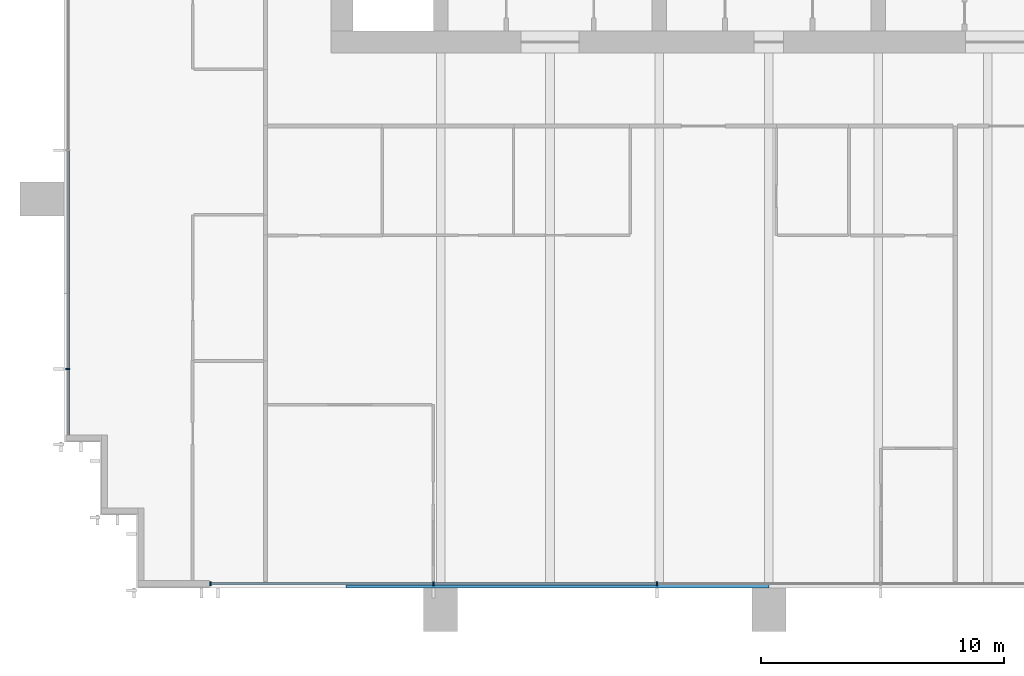
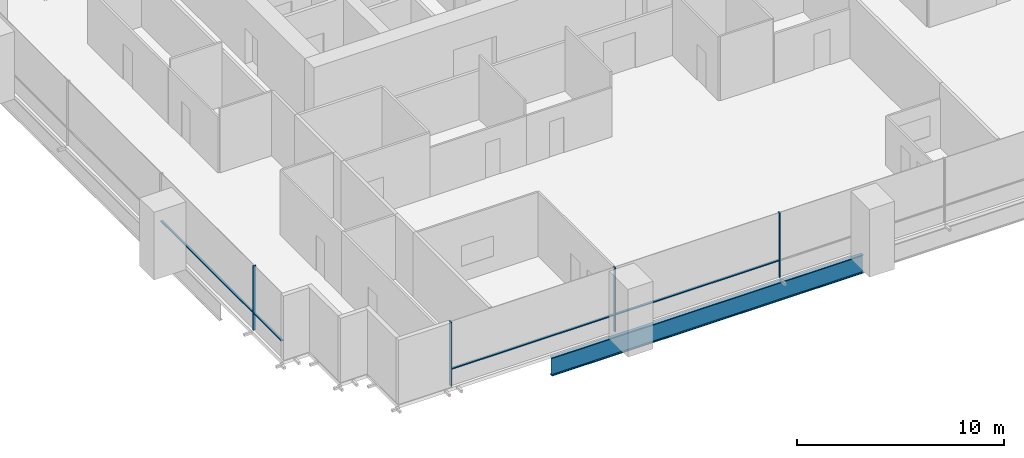
# One storey, part 2 of 16: 8 members, 1 beam, 2 elements without a shape of their own.
"""IFC4 building model written with IfcOpenShell, lengths in metres."""

from ifc_helpers import new_model, si_unit, direction, frame, origin, origin_2d, place, context, subcontext, project, spatial, rectangle, i_section, extrude, material, material_profile, profile_set, type_object, element, aggregate, save


model = new_model("IFC4")

# Units and contexts
model_context = context("Model", 3, precision=1e-05, world=origin(), true_north=direction((0.0, 1.0)))
body_context = subcontext(model_context, "Body", "Model", "MODEL_VIEW")
ifc_project = project(units=[si_unit("LENGTHUNIT", "METRE"), si_unit("AREAUNIT", "SQUARE_METRE"), si_unit("VOLUMEUNIT", "CUBIC_METRE"), si_unit("PLANEANGLEUNIT", "RADIAN"), si_unit("MASSUNIT", "GRAM", prefix="KILO")], contexts=[model_context])

# Site, building, storey
site_placement = place(None, origin())
site = spatial("IfcSite", under=ifc_project, at=site_placement, CompositionType="ELEMENT")
building_placement = place(site_placement, origin())
building = spatial("IfcBuilding", under=site, at=building_placement, Name="Rattan Terrace Tower", CompositionType="ELEMENT")
storey_placement = place(building_placement, frame((0.0, 0.0, 130.10009765625)))
storey = spatial("IfcBuildingStorey", under=building, at=storey_placement, Name="L29", CompositionType="ELEMENT", Elevation=130.10009765625)

# Curtain wall, member
ifc_material_1 = material(Name="Aluminium and glass", Category="aluminium")
curtain_wall_type = type_object("IfcCurtainWallType", Name="Facade Unitised Curtain Wall", PredefinedType="NOTDEFINED", material=ifc_material_1)
curtain_wall_1_placement = place(storey_placement, origin())
curtain_wall_1 = element("IfcCurtainWall", 1, at=curtain_wall_1_placement, inside=storey, type_object=curtain_wall_type, Name="Curtain wall L29-3", PredefinedType="NOTDEFINED")
ifc_material_2 = material(Name="Aluminium", Category="aluminium")
ifc_material_profile_1 = material_profile(ifc_material_2, rectangle(XDim=0.06005859375, YDim=0.159912109375, at=origin_2d()), Name="Aluminium 60x160")
ifc_profile_set_1 = profile_set([ifc_material_profile_1], Name="Aluminium")
member_type_1 = type_object("IfcMemberType", Name="Facade CW Mullion 60x160", PredefinedType="MULLION", material=ifc_profile_set_1)
member_1_placement = place(storey_placement, frame((-28.830078125, -20.5, 0.0), z_axis=(0.0, 0.0, 1.0), x_axis=(0.0, -1.0, 0.0)))
member_1 = element("IfcMember", 2, at=member_1_placement, type_object=member_type_1, Name="Mullion cwl-L29-003.4", PredefinedType="MULLION", context=body_context, shape_type="SweptSolid", body=[
    extrude(rectangle(XDim=0.06005859375, YDim=0.159912109375, at=origin_2d()), origin(), (0.0, 0.0, 1.0), 3.7998046875),
])

# Curtain wall, members
curtain_wall_2_placement = place(storey_placement, origin())
curtain_wall_2 = element("IfcCurtainWall", 3, at=curtain_wall_2_placement, inside=storey, type_object=curtain_wall_type, Name="Curtain wall L29-4", PredefinedType="NOTDEFINED")
member_2_placement = place(storey_placement, frame((-22.969970703125, -29.330078125, 0.0), z_axis=(0.0, 0.0, 1.0), x_axis=(1.0, 0.0, 0.0)))
member_2 = element("IfcMember", 4, at=member_2_placement, type_object=member_type_1, Name="Mullion cwl-L29-004.1", PredefinedType="MULLION", context=body_context, shape_type="SweptSolid", body=[
    extrude(rectangle(XDim=0.06005859375, YDim=0.159912109375, at=origin_2d()), origin(), (0.0, 0.0, 1.0), 3.7998046875),
])
member_3_placement = place(storey_placement, frame((-13.799072265625, -29.330078125, 0.0), z_axis=(0.0, 0.0, 1.0), x_axis=(1.0, 0.0, 0.0)))
member_3 = element("IfcMember", 5, at=member_3_placement, type_object=member_type_1, Name="Mullion cwl-L29-004.2", PredefinedType="MULLION", context=body_context, shape_type="SweptSolid", body=[
    extrude(rectangle(XDim=0.06005859375, YDim=0.159912109375, at=origin_2d()), origin(), (0.0, 0.0, 1.0), 3.7998046875),
])
member_4_placement = place(storey_placement, frame((-4.597900390625, -29.330078125, 0.0), z_axis=(0.0, 0.0, 1.0), x_axis=(1.0, 0.0, 0.0)))
member_4 = element("IfcMember", 6, at=member_4_placement, type_object=member_type_1, Name="Mullion cwl-L29-004.3", PredefinedType="MULLION", context=body_context, shape_type="SweptSolid", body=[
    extrude(rectangle(XDim=0.06005859375, YDim=0.159912109375, at=origin_2d()), origin(), (0.0, 0.0, 1.0), 3.7998046875),
])

# Member
ifc_material_3 = material(Name="Aluminium", Category="aluminium")
ifc_material_profile_2 = material_profile(ifc_material_3, rectangle(XDim=0.1201171875, YDim=0.06005859375, at=origin_2d()), Name="Aluminium 120x60")
ifc_profile_set_2 = profile_set([ifc_material_profile_2], Name="Aluminium")
member_type_2 = type_object("IfcMemberType", Name="Facade CW Transom 120x60", PredefinedType="USERDEFINED", material=ifc_profile_set_2)
member_5_placement = place(storey_placement, frame((-28.830078125, -11.530029296875, 1.0), z_axis=(0.0, -1.0, 0.0), x_axis=(1.0, 0.0, 0.0)))
member_5 = element("IfcMember", 7, at=member_5_placement, type_object=member_type_2, Name="Transom cwl-L29-003.3", ObjectType="TRANSOM", PredefinedType="USERDEFINED", context=body_context, shape_type="SweptSolid", body=[
    extrude(rectangle(XDim=0.1201171875, YDim=0.06005859375, at=origin_2d()), origin(), (0.0, 0.0, 1.0), 8.93994140625),
])

member_6_placement = place(storey_placement, frame((-28.830078125, -20.530029296875, 1.0), z_axis=(0.0, -1.0, 0.0), x_axis=(1.0, 0.0, 0.0)))
member_6 = element("IfcMember", 8, at=member_6_placement, type_object=member_type_2, Name="Transom cwl-L29-003.4", ObjectType="TRANSOM", PredefinedType="USERDEFINED", context=body_context, shape_type="SweptSolid", body=[
    extrude(rectangle(XDim=0.1201171875, YDim=0.06005859375, at=origin_2d()), origin(), (0.0, 0.0, 1.0), 2.675048828125),
])

aggregate(curtain_wall_1, [member_1, member_5, member_6])

member_7_placement = place(storey_placement, frame((-22.93994140625, -29.330078125, 1.0), z_axis=(1.0, 0.0, 0.0), x_axis=(0.0, 1.0, 0.0)))
member_7 = element("IfcMember", 9, at=member_7_placement, type_object=member_type_2, Name="Transom cwl-L29-004.1", ObjectType="TRANSOM", PredefinedType="USERDEFINED", context=body_context, shape_type="SweptSolid", body=[
    extrude(rectangle(XDim=0.1201171875, YDim=0.06005859375, at=origin_2d()), origin(), (0.0, 0.0, 1.0), 9.11083984375),
])

member_8_placement = place(storey_placement, frame((-13.76904296875, -29.330078125, 1.0), z_axis=(1.0, 0.0, 0.0), x_axis=(0.0, 1.0, 0.0)))
member_8 = element("IfcMember", 10, at=member_8_placement, type_object=member_type_2, Name="Transom cwl-L29-004.2", ObjectType="TRANSOM", PredefinedType="USERDEFINED", context=body_context, shape_type="SweptSolid", body=[
    extrude(rectangle(XDim=0.1201171875, YDim=0.06005859375, at=origin_2d()), origin(), (0.0, 0.0, 1.0), 9.14111328125),
])

aggregate(curtain_wall_2, [member_2, member_3, member_4, member_7, member_8])

# Beam
ifc_material_4 = material(Name="Steel S460", Category="steel")
ifc_material_profile_3 = material_profile(ifc_material_4, i_section(OverallWidth=0.179931640625, OverallDepth=1.10009765625, WebThickness=0.01611328125, FlangeThickness=0.050048828125, at=origin_2d()), Name="PG 1100x180-16-50")
ifc_profile_set_3 = profile_set([ifc_material_profile_3], Name="Steel S460")
beam_type = type_object("IfcBeamType", Name="Frame edge girder PG 1100x180-16-50", PredefinedType="SPANDREL", material=ifc_profile_set_3)
beam_placement = place(storey_placement, frame((-17.39990234375, -29.409912109375, -0.75), z_axis=(1.0, 0.0, 0.0), x_axis=(0.0, 1.0, 0.0)))
element("IfcBeam", 11, at=beam_placement, inside=storey, type_object=beam_type, Name="gdr-L29-001", PredefinedType="SPANDREL", context=body_context, shape_type="SweptSolid", body=[
    extrude(i_section(OverallWidth=0.179931640625, OverallDepth=1.10009765625, WebThickness=0.01611328125, FlangeThickness=0.050048828125, at=origin_2d()), origin(), (0.0, 0.0, 1.0), 17.39990234375),
])

save(model, "model.ifc")
